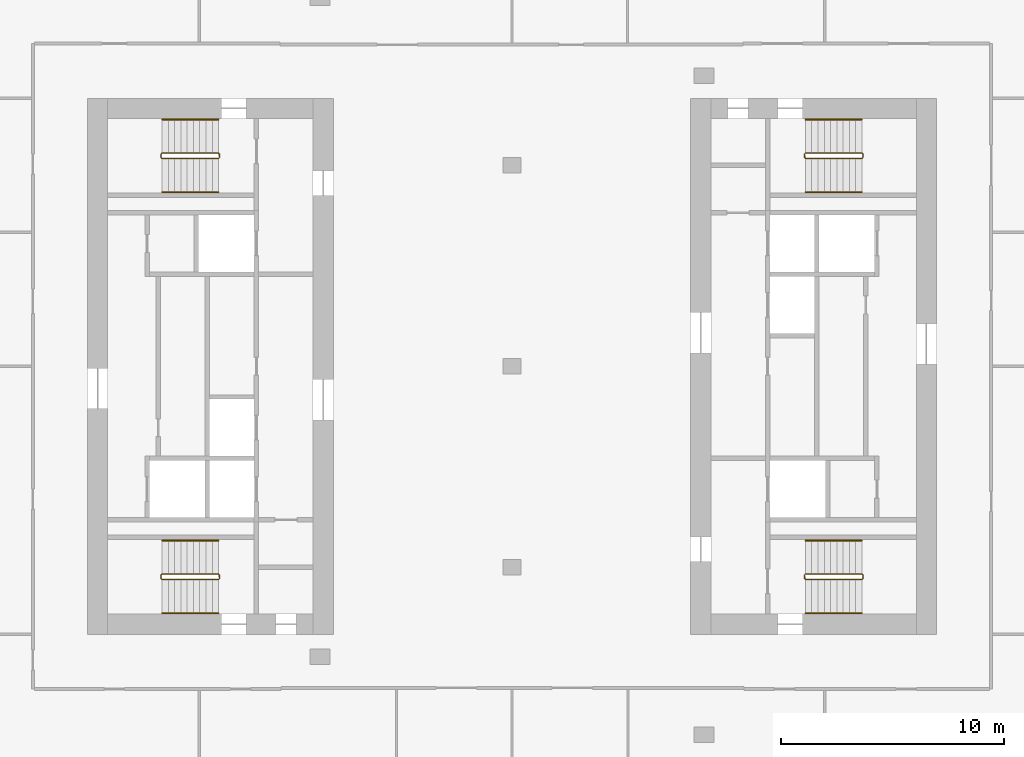
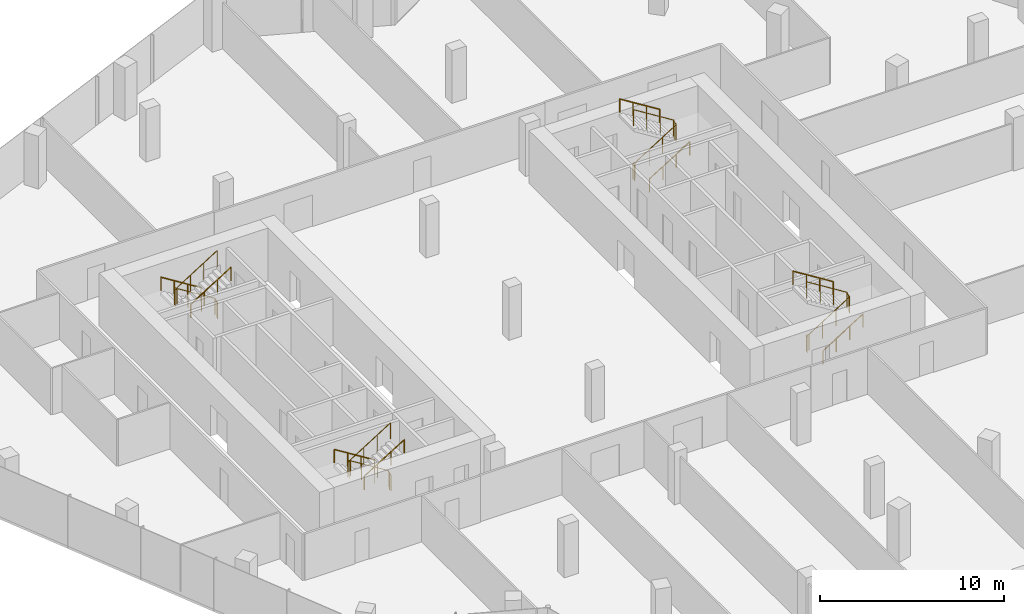
# One storey, part 16 of 16: 12 railings.
"""IFC4 building model written with IfcOpenShell, lengths in metres."""

from ifc_helpers import new_model, si_unit, direction, frame, origin, origin_2d, place, context, subcontext, project, spatial, circle, extrude, material, type_object, element, save


model = new_model("IFC4")

# Units and contexts
model_context = context("Model", 3, precision=1e-05, world=origin(), true_north=direction((0.0, 1.0)))
body_context = subcontext(model_context, "Body", "Model", "MODEL_VIEW")
ifc_project = project(units=[si_unit("LENGTHUNIT", "METRE"), si_unit("AREAUNIT", "SQUARE_METRE"), si_unit("VOLUMEUNIT", "CUBIC_METRE"), si_unit("PLANEANGLEUNIT", "RADIAN"), si_unit("MASSUNIT", "GRAM", prefix="KILO")], contexts=[model_context])

# Site, building, storey
site_placement = place(None, origin())
site = spatial("IfcSite", under=ifc_project, at=site_placement, CompositionType="ELEMENT")
building_placement = place(site_placement, origin())
building = spatial("IfcBuilding", under=site, at=building_placement, Name="Orlundy Tower", CompositionType="ELEMENT")
storey_placement = place(building_placement, frame((0.0, 0.0, 282.39990234375)))
storey = spatial("IfcBuildingStorey", under=building, at=storey_placement, Name="L75", CompositionType="ELEMENT", Elevation=282.39990234375)

# Railings
ifc_material_1 = material(Name="Steel balustrade", Category="steel")
railing_type_1 = type_object("IfcRailingType", Name="Stair Guard 1100", PredefinedType="GUARDRAIL", material=ifc_material_1)
railing_1_placement = place(storey_placement, frame((-13.090087890625, 9.5, 0.0)))
element("IfcRailing", 1, at=railing_1_placement, inside=storey, type_object=railing_type_1, Name="L75 ST-W1 stair guard 1", PredefinedType="GUARDRAIL", context=body_context, shape_type="SweptSolid", body=[
    extrude(circle(Radius=0.02392578125, at=origin_2d()), frame((0.0, 0.0, 1.076171875), z_axis=(0.0, -1.0, 0.0), x_axis=(1.0, 0.0, 0.0)), (0.0, 0.0, 1.0), 0.14990234375),
    extrude(circle(Radius=0.02392578125, at=origin_2d()), frame((0.0, -0.14990234375, 1.076171875), z_axis=(-0.18420542264, 0.739530593833, 0.647427882513), x_axis=(-0.970351222016, -0.241699205484, 0.0)), (0.0, 0.0, 1.0), 0.270263671875),
    extrude(circle(Radius=0.02392578125, at=origin_2d()), frame((-0.0498046875, 0.050048828125, 1.2509765625), z_axis=(-0.848007534815, 0.0, 0.529984170421), x_axis=(0.0, -1.0, 0.0)), (0.0, 0.0, 1.0), 2.9716796875),
    extrude(circle(Radius=0.02392578125, at=origin_2d()), frame((-2.56982421875, 0.050048828125, 2.826171875), z_axis=(-0.707106781187, -0.707106781187, 0.0), x_axis=(0.707106781187, -0.707106781187, 0.0)), (0.0, 0.0, 1.0), 0.07080078125),
    extrude(circle(Radius=0.02392578125, at=origin_2d()), frame((-2.619873046875, 0.0, 2.826171875), z_axis=(0.0, -1.0, 0.0), x_axis=(1.0, 0.0, 0.0)), (0.0, 0.0, 1.0), 0.14990234375),
    extrude(circle(Radius=0.02392578125, at=origin_2d()), frame((-2.619873046875, -0.14990234375, 2.826171875), z_axis=(0.265065253269, -0.265065253269, 0.927081885822), x_axis=(0.707106781187, 0.707106781187, 0.0)), (0.0, 0.0, 1.0), 0.188720703125),
    extrude(circle(Radius=0.02392578125, at=origin_2d()), frame((-2.56982421875, -0.199951171875, 3.0009765625), z_axis=(0.848007534815, 0.0, 0.529984170421), x_axis=(0.0, 1.0, 0.0)), (0.0, 0.0, 1.0), 2.9716796875),
    extrude(circle(Radius=0.02099609375, at=origin_2d()), origin(), (0.0, 0.0, 1.0), 1.052001953125),
    extrude(circle(Radius=0.02099609375, at=origin_2d()), frame((0.0, -0.14990234375, 0.0)), (0.0, 0.0, 1.0), 1.052001953125),
    extrude(circle(Radius=0.02099609375, at=origin_2d()), frame((-0.0498046875, 0.050048828125, 0.175048828125)), (0.0, 0.0, 1.0), 1.052001953125),
    extrude(circle(Radius=0.02099609375, at=origin_2d()), frame((-0.889892578125, 0.050048828125, 0.699951171875)), (0.0, 0.0, 1.0), 1.052001953125),
    extrude(circle(Radius=0.02099609375, at=origin_2d()), frame((-1.729736328125, 0.050048828125, 1.22509765625)), (0.0, 0.0, 1.0), 1.052001953125),
    extrude(circle(Radius=0.02099609375, at=origin_2d()), frame((-2.56982421875, 0.050048828125, 1.75)), (0.0, 0.0, 1.0), 1.052001953125),
    extrude(circle(Radius=0.02099609375, at=origin_2d()), frame((-2.619873046875, 0.0, 1.75)), (0.0, 0.0, 1.0), 1.052001953125),
    extrude(circle(Radius=0.02099609375, at=origin_2d()), frame((-2.619873046875, -0.14990234375, 1.75)), (0.0, 0.0, 1.0), 1.052001953125),
    extrude(circle(Radius=0.02099609375, at=origin_2d()), frame((-2.56982421875, -0.199951171875, 1.925048828125)), (0.0, 0.0, 1.0), 1.052001953125),
    extrude(circle(Radius=0.02099609375, at=origin_2d()), frame((-1.729736328125, -0.199951171875, 2.449951171875)), (0.0, 0.0, 1.0), 1.052001953125),
    extrude(circle(Radius=0.02099609375, at=origin_2d()), frame((-0.889892578125, -0.199951171875, 2.97509765625)), (0.0, 0.0, 1.0), 1.052001953125),
    extrude(circle(Radius=0.02099609375, at=origin_2d()), frame((-0.0498046875, -0.199951171875, 3.5)), (0.0, 0.0, 1.0), 1.052001953125),
])
railing_2_placement = place(storey_placement, frame((-13.090087890625, -9.35009765625, 0.0)))
element("IfcRailing", 2, at=railing_2_placement, inside=storey, type_object=railing_type_1, Name="L75 ST-W2 stair guard 1", PredefinedType="GUARDRAIL", context=body_context, shape_type="SweptSolid", body=[
    extrude(circle(Radius=0.02392578125, at=origin_2d()), frame((0.0, 0.0, 1.076171875), z_axis=(0.0, -1.0, 0.0), x_axis=(1.0, 0.0, 0.0)), (0.0, 0.0, 1.0), 0.14990234375),
    extrude(circle(Radius=0.02392578125, at=origin_2d()), frame((0.0, -0.14990234375, 1.076171875), z_axis=(-0.18420542264, 0.739530593833, 0.647427882513), x_axis=(-0.970351222016, -0.241699205484, 0.0)), (0.0, 0.0, 1.0), 0.270263671875),
    extrude(circle(Radius=0.02392578125, at=origin_2d()), frame((-0.0498046875, 0.050048828125, 1.2509765625), z_axis=(-0.848007534815, 0.0, 0.529984170421), x_axis=(0.0, -1.0, 0.0)), (0.0, 0.0, 1.0), 2.9716796875),
    extrude(circle(Radius=0.02392578125, at=origin_2d()), frame((-2.56982421875, 0.050048828125, 2.826171875), z_axis=(-0.707106781187, -0.707106781187, 0.0), x_axis=(0.707106781187, -0.707106781187, 0.0)), (0.0, 0.0, 1.0), 0.07080078125),
    extrude(circle(Radius=0.02392578125, at=origin_2d()), frame((-2.619873046875, 0.0, 2.826171875), z_axis=(0.0, -1.0, 0.0), x_axis=(1.0, 0.0, 0.0)), (0.0, 0.0, 1.0), 0.14990234375),
    extrude(circle(Radius=0.02392578125, at=origin_2d()), frame((-2.619873046875, -0.14990234375, 2.826171875), z_axis=(0.265065253269, -0.265065253269, 0.927081885822), x_axis=(0.707106781187, 0.707106781187, 0.0)), (0.0, 0.0, 1.0), 0.188720703125),
    extrude(circle(Radius=0.02392578125, at=origin_2d()), frame((-2.56982421875, -0.199951171875, 3.0009765625), z_axis=(0.848007534815, 0.0, 0.529984170421), x_axis=(0.0, 1.0, 0.0)), (0.0, 0.0, 1.0), 2.9716796875),
    extrude(circle(Radius=0.02099609375, at=origin_2d()), origin(), (0.0, 0.0, 1.0), 1.052001953125),
    extrude(circle(Radius=0.02099609375, at=origin_2d()), frame((0.0, -0.14990234375, 0.0)), (0.0, 0.0, 1.0), 1.052001953125),
    extrude(circle(Radius=0.02099609375, at=origin_2d()), frame((-0.0498046875, 0.050048828125, 0.175048828125)), (0.0, 0.0, 1.0), 1.052001953125),
    extrude(circle(Radius=0.02099609375, at=origin_2d()), frame((-0.889892578125, 0.050048828125, 0.699951171875)), (0.0, 0.0, 1.0), 1.052001953125),
    extrude(circle(Radius=0.02099609375, at=origin_2d()), frame((-1.729736328125, 0.050048828125, 1.22509765625)), (0.0, 0.0, 1.0), 1.052001953125),
    extrude(circle(Radius=0.02099609375, at=origin_2d()), frame((-2.56982421875, 0.050048828125, 1.75)), (0.0, 0.0, 1.0), 1.052001953125),
    extrude(circle(Radius=0.02099609375, at=origin_2d()), frame((-2.619873046875, 0.0, 1.75)), (0.0, 0.0, 1.0), 1.052001953125),
    extrude(circle(Radius=0.02099609375, at=origin_2d()), frame((-2.619873046875, -0.14990234375, 1.75)), (0.0, 0.0, 1.0), 1.052001953125),
    extrude(circle(Radius=0.02099609375, at=origin_2d()), frame((-2.56982421875, -0.199951171875, 1.925048828125)), (0.0, 0.0, 1.0), 1.052001953125),
    extrude(circle(Radius=0.02099609375, at=origin_2d()), frame((-1.729736328125, -0.199951171875, 2.449951171875)), (0.0, 0.0, 1.0), 1.052001953125),
    extrude(circle(Radius=0.02099609375, at=origin_2d()), frame((-0.889892578125, -0.199951171875, 2.97509765625)), (0.0, 0.0, 1.0), 1.052001953125),
    extrude(circle(Radius=0.02099609375, at=origin_2d()), frame((-0.0498046875, -0.199951171875, 3.5)), (0.0, 0.0, 1.0), 1.052001953125),
])
railing_3_placement = place(storey_placement, frame((13.090087890625, -9.5, 0.0)))
element("IfcRailing", 3, at=railing_3_placement, inside=storey, type_object=railing_type_1, Name="L75 ST-E1 stair guard 1", PredefinedType="GUARDRAIL", context=body_context, shape_type="SweptSolid", body=[
    extrude(circle(Radius=0.02392578125, at=origin_2d()), frame((0.0, 0.0, 1.076171875), z_axis=(0.0, 1.0, 0.0), x_axis=(-1.0, 0.0, 0.0)), (0.0, 0.0, 1.0), 0.14990234375),
    extrude(circle(Radius=0.02392578125, at=origin_2d()), frame((0.0, 0.14990234375, 1.076171875), z_axis=(0.18420542264, -0.739530593833, 0.647427882513), x_axis=(0.970351222016, 0.241699205484, 0.0)), (0.0, 0.0, 1.0), 0.270263671875),
    extrude(circle(Radius=0.02392578125, at=origin_2d()), frame((0.0498046875, -0.050048828125, 1.2509765625), z_axis=(0.848007534815, 0.0, 0.529984170421), x_axis=(0.0, 1.0, 0.0)), (0.0, 0.0, 1.0), 2.9716796875),
    extrude(circle(Radius=0.02392578125, at=origin_2d()), frame((2.56982421875, -0.050048828125, 2.826171875), z_axis=(0.707106781187, 0.707106781187, 0.0), x_axis=(-0.707106781187, 0.707106781187, 0.0)), (0.0, 0.0, 1.0), 0.07080078125),
    extrude(circle(Radius=0.02392578125, at=origin_2d()), frame((2.619873046875, 0.0, 2.826171875), z_axis=(0.0, 1.0, 0.0), x_axis=(-1.0, 0.0, 0.0)), (0.0, 0.0, 1.0), 0.14990234375),
    extrude(circle(Radius=0.02392578125, at=origin_2d()), frame((2.619873046875, 0.14990234375, 2.826171875), z_axis=(-0.265065253269, 0.265065253269, 0.927081885822), x_axis=(-0.707106781187, -0.707106781187, 0.0)), (0.0, 0.0, 1.0), 0.188720703125),
    extrude(circle(Radius=0.02392578125, at=origin_2d()), frame((2.56982421875, 0.199951171875, 3.0009765625), z_axis=(-0.848007534815, 0.0, 0.529984170421), x_axis=(0.0, -1.0, 0.0)), (0.0, 0.0, 1.0), 2.9716796875),
    extrude(circle(Radius=0.02099609375, at=origin_2d()), origin(), (0.0, 0.0, 1.0), 1.052001953125),
    extrude(circle(Radius=0.02099609375, at=origin_2d()), frame((0.0, 0.14990234375, 0.0)), (0.0, 0.0, 1.0), 1.052001953125),
    extrude(circle(Radius=0.02099609375, at=origin_2d()), frame((0.0498046875, -0.050048828125, 0.175048828125)), (0.0, 0.0, 1.0), 1.052001953125),
    extrude(circle(Radius=0.02099609375, at=origin_2d()), frame((0.889892578125, -0.050048828125, 0.699951171875)), (0.0, 0.0, 1.0), 1.052001953125),
    extrude(circle(Radius=0.02099609375, at=origin_2d()), frame((1.729736328125, -0.050048828125, 1.22509765625)), (0.0, 0.0, 1.0), 1.052001953125),
    extrude(circle(Radius=0.02099609375, at=origin_2d()), frame((2.56982421875, -0.050048828125, 1.75)), (0.0, 0.0, 1.0), 1.052001953125),
    extrude(circle(Radius=0.02099609375, at=origin_2d()), frame((2.619873046875, 0.0, 1.75)), (0.0, 0.0, 1.0), 1.052001953125),
    extrude(circle(Radius=0.02099609375, at=origin_2d()), frame((2.619873046875, 0.14990234375, 1.75)), (0.0, 0.0, 1.0), 1.052001953125),
    extrude(circle(Radius=0.02099609375, at=origin_2d()), frame((2.56982421875, 0.199951171875, 1.925048828125)), (0.0, 0.0, 1.0), 1.052001953125),
    extrude(circle(Radius=0.02099609375, at=origin_2d()), frame((1.729736328125, 0.199951171875, 2.449951171875)), (0.0, 0.0, 1.0), 1.052001953125),
    extrude(circle(Radius=0.02099609375, at=origin_2d()), frame((0.889892578125, 0.199951171875, 2.97509765625)), (0.0, 0.0, 1.0), 1.052001953125),
    extrude(circle(Radius=0.02099609375, at=origin_2d()), frame((0.0498046875, 0.199951171875, 3.5)), (0.0, 0.0, 1.0), 1.052001953125),
])
railing_4_placement = place(storey_placement, frame((13.090087890625, 9.35009765625, 0.0)))
element("IfcRailing", 4, at=railing_4_placement, inside=storey, type_object=railing_type_1, Name="L75 ST-E2 stair guard 1", PredefinedType="GUARDRAIL", context=body_context, shape_type="SweptSolid", body=[
    extrude(circle(Radius=0.02392578125, at=origin_2d()), frame((0.0, 0.0, 1.076171875), z_axis=(0.0, 1.0, 0.0), x_axis=(-1.0, 0.0, 0.0)), (0.0, 0.0, 1.0), 0.14990234375),
    extrude(circle(Radius=0.02392578125, at=origin_2d()), frame((0.0, 0.14990234375, 1.076171875), z_axis=(0.18420542264, -0.739530593833, 0.647427882513), x_axis=(0.970351222016, 0.241699205484, 0.0)), (0.0, 0.0, 1.0), 0.270263671875),
    extrude(circle(Radius=0.02392578125, at=origin_2d()), frame((0.0498046875, -0.050048828125, 1.2509765625), z_axis=(0.848007534815, 0.0, 0.529984170421), x_axis=(0.0, 1.0, 0.0)), (0.0, 0.0, 1.0), 2.9716796875),
    extrude(circle(Radius=0.02392578125, at=origin_2d()), frame((2.56982421875, -0.050048828125, 2.826171875), z_axis=(0.707106781187, 0.707106781187, 0.0), x_axis=(-0.707106781187, 0.707106781187, 0.0)), (0.0, 0.0, 1.0), 0.07080078125),
    extrude(circle(Radius=0.02392578125, at=origin_2d()), frame((2.619873046875, 0.0, 2.826171875), z_axis=(0.0, 1.0, 0.0), x_axis=(-1.0, 0.0, 0.0)), (0.0, 0.0, 1.0), 0.14990234375),
    extrude(circle(Radius=0.02392578125, at=origin_2d()), frame((2.619873046875, 0.14990234375, 2.826171875), z_axis=(-0.265065253269, 0.265065253269, 0.927081885822), x_axis=(-0.707106781187, -0.707106781187, 0.0)), (0.0, 0.0, 1.0), 0.188720703125),
    extrude(circle(Radius=0.02392578125, at=origin_2d()), frame((2.56982421875, 0.199951171875, 3.0009765625), z_axis=(-0.848007534815, 0.0, 0.529984170421), x_axis=(0.0, -1.0, 0.0)), (0.0, 0.0, 1.0), 2.9716796875),
    extrude(circle(Radius=0.02099609375, at=origin_2d()), origin(), (0.0, 0.0, 1.0), 1.052001953125),
    extrude(circle(Radius=0.02099609375, at=origin_2d()), frame((0.0, 0.14990234375, 0.0)), (0.0, 0.0, 1.0), 1.052001953125),
    extrude(circle(Radius=0.02099609375, at=origin_2d()), frame((0.0498046875, -0.050048828125, 0.175048828125)), (0.0, 0.0, 1.0), 1.052001953125),
    extrude(circle(Radius=0.02099609375, at=origin_2d()), frame((0.889892578125, -0.050048828125, 0.699951171875)), (0.0, 0.0, 1.0), 1.052001953125),
    extrude(circle(Radius=0.02099609375, at=origin_2d()), frame((1.729736328125, -0.050048828125, 1.22509765625)), (0.0, 0.0, 1.0), 1.052001953125),
    extrude(circle(Radius=0.02099609375, at=origin_2d()), frame((2.56982421875, -0.050048828125, 1.75)), (0.0, 0.0, 1.0), 1.052001953125),
    extrude(circle(Radius=0.02099609375, at=origin_2d()), frame((2.619873046875, 0.0, 1.75)), (0.0, 0.0, 1.0), 1.052001953125),
    extrude(circle(Radius=0.02099609375, at=origin_2d()), frame((2.619873046875, 0.14990234375, 1.75)), (0.0, 0.0, 1.0), 1.052001953125),
    extrude(circle(Radius=0.02099609375, at=origin_2d()), frame((2.56982421875, 0.199951171875, 1.925048828125)), (0.0, 0.0, 1.0), 1.052001953125),
    extrude(circle(Radius=0.02099609375, at=origin_2d()), frame((1.729736328125, 0.199951171875, 2.449951171875)), (0.0, 0.0, 1.0), 1.052001953125),
    extrude(circle(Radius=0.02099609375, at=origin_2d()), frame((0.889892578125, 0.199951171875, 2.97509765625)), (0.0, 0.0, 1.0), 1.052001953125),
    extrude(circle(Radius=0.02099609375, at=origin_2d()), frame((0.0498046875, 0.199951171875, 3.5)), (0.0, 0.0, 1.0), 1.052001953125),
])
ifc_material_2 = material(Name="Steel handrail", Category="steel")
railing_type_2 = type_object("IfcRailingType", Name="Stair Handrail 900", PredefinedType="HANDRAIL", material=ifc_material_2)
railing_5_placement = place(storey_placement, frame((-13.139892578125, 11.050048828125, 0.175048828125)))
element("IfcRailing", 5, at=railing_5_placement, inside=storey, type_object=railing_type_2, Name="L75 ST-W1 stair handrail 1", PredefinedType="HANDRAIL", context=body_context, shape_type="SweptSolid", body=[
    extrude(circle(Radius=0.02392578125, at=origin_2d()), frame((0.0, 0.0, 0.8759765625), z_axis=(-0.848007534815, 0.0, 0.529984170421), x_axis=(0.0, -1.0, 0.0)), (0.0, 0.0, 1.0), 2.9716796875),
    extrude(circle(Radius=0.02099609375, at=origin_2d()), origin(), (0.0, 0.0, 1.0), 0.851806640625),
    extrude(circle(Radius=0.02099609375, at=origin_2d()), frame((-0.840087890625, 0.0, 0.52490234375)), (0.0, 0.0, 1.0), 0.851806640625),
    extrude(circle(Radius=0.02099609375, at=origin_2d()), frame((-1.679931640625, 0.0, 1.050048828125)), (0.0, 0.0, 1.0), 0.851806640625),
    extrude(circle(Radius=0.02099609375, at=origin_2d()), frame((-2.52001953125, 0.0, 1.574951171875)), (0.0, 0.0, 1.0), 0.851806640625),
])
railing_6_placement = place(storey_placement, frame((-15.659912109375, 7.800048828125, 1.925048828125)))
element("IfcRailing", 6, at=railing_6_placement, inside=storey, type_object=railing_type_2, Name="L75 ST-W1 stair handrail 2", PredefinedType="HANDRAIL", context=body_context, shape_type="SweptSolid", body=[
    extrude(circle(Radius=0.02392578125, at=origin_2d()), frame((0.0, 0.0, 0.8759765625), z_axis=(0.848007534815, 0.0, 0.529984170421), x_axis=(0.0, 1.0, 0.0)), (0.0, 0.0, 1.0), 2.9716796875),
    extrude(circle(Radius=0.02099609375, at=origin_2d()), origin(), (0.0, 0.0, 1.0), 0.851806640625),
    extrude(circle(Radius=0.02099609375, at=origin_2d()), frame((0.840087890625, 0.0, 0.52490234375)), (0.0, 0.0, 1.0), 0.851806640625),
    extrude(circle(Radius=0.02099609375, at=origin_2d()), frame((1.679931640625, 0.0, 1.050048828125)), (0.0, 0.0, 1.0), 0.851806640625),
    extrude(circle(Radius=0.02099609375, at=origin_2d()), frame((2.52001953125, 0.0, 1.574951171875)), (0.0, 0.0, 1.0), 0.851806640625),
])
railing_7_placement = place(storey_placement, frame((-13.139892578125, -7.800048828125, 0.175048828125)))
element("IfcRailing", 7, at=railing_7_placement, inside=storey, type_object=railing_type_2, Name="L75 ST-W2 stair handrail 1", PredefinedType="HANDRAIL", context=body_context, shape_type="SweptSolid", body=[
    extrude(circle(Radius=0.02392578125, at=origin_2d()), frame((0.0, 0.0, 0.8759765625), z_axis=(-0.848007534815, 0.0, 0.529984170421), x_axis=(0.0, -1.0, 0.0)), (0.0, 0.0, 1.0), 2.9716796875),
    extrude(circle(Radius=0.02099609375, at=origin_2d()), origin(), (0.0, 0.0, 1.0), 0.851806640625),
    extrude(circle(Radius=0.02099609375, at=origin_2d()), frame((-0.840087890625, 0.0, 0.52490234375)), (0.0, 0.0, 1.0), 0.851806640625),
    extrude(circle(Radius=0.02099609375, at=origin_2d()), frame((-1.679931640625, 0.0, 1.050048828125)), (0.0, 0.0, 1.0), 0.851806640625),
    extrude(circle(Radius=0.02099609375, at=origin_2d()), frame((-2.52001953125, 0.0, 1.574951171875)), (0.0, 0.0, 1.0), 0.851806640625),
])
for number, where, name in (
    (8, (-15.659912109375, -11.050048828125, 1.925048828125), "L75 ST-W2 stair handrail 2"),
    (9, (13.139892578125, -11.050048828125, 0.175048828125), "L75 ST-E1 stair handrail 1"),
):
    element("IfcRailing", number, at=place(storey_placement, frame(where)), inside=storey, type_object=railing_type_2, Name=name, PredefinedType="HANDRAIL", context=body_context, shape_type="SweptSolid", body=[
        extrude(circle(Radius=0.02392578125, at=origin_2d()), frame((0.0, 0.0, 0.8759765625), z_axis=(0.848007534815, 0.0, 0.529984170421), x_axis=(0.0, 1.0, 0.0)), (0.0, 0.0, 1.0), 2.9716796875),
        extrude(circle(Radius=0.02099609375, at=origin_2d()), origin(), (0.0, 0.0, 1.0), 0.851806640625),
        extrude(circle(Radius=0.02099609375, at=origin_2d()), frame((0.840087890625, 0.0, 0.52490234375)), (0.0, 0.0, 1.0), 0.851806640625),
        extrude(circle(Radius=0.02099609375, at=origin_2d()), frame((1.679931640625, 0.0, 1.050048828125)), (0.0, 0.0, 1.0), 0.851806640625),
        extrude(circle(Radius=0.02099609375, at=origin_2d()), frame((2.52001953125, 0.0, 1.574951171875)), (0.0, 0.0, 1.0), 0.851806640625),
    ])
railing_8_placement = place(storey_placement, frame((15.659912109375, -7.800048828125, 1.925048828125)))
element("IfcRailing", 10, at=railing_8_placement, inside=storey, type_object=railing_type_2, Name="L75 ST-E1 stair handrail 2", PredefinedType="HANDRAIL", context=body_context, shape_type="SweptSolid", body=[
    extrude(circle(Radius=0.02392578125, at=origin_2d()), frame((0.0, 0.0, 0.8759765625), z_axis=(-0.848007534815, 0.0, 0.529984170421), x_axis=(0.0, -1.0, 0.0)), (0.0, 0.0, 1.0), 2.9716796875),
    extrude(circle(Radius=0.02099609375, at=origin_2d()), origin(), (0.0, 0.0, 1.0), 0.851806640625),
    extrude(circle(Radius=0.02099609375, at=origin_2d()), frame((-0.840087890625, 0.0, 0.52490234375)), (0.0, 0.0, 1.0), 0.851806640625),
    extrude(circle(Radius=0.02099609375, at=origin_2d()), frame((-1.679931640625, 0.0, 1.050048828125)), (0.0, 0.0, 1.0), 0.851806640625),
    extrude(circle(Radius=0.02099609375, at=origin_2d()), frame((-2.52001953125, 0.0, 1.574951171875)), (0.0, 0.0, 1.0), 0.851806640625),
])
railing_9_placement = place(storey_placement, frame((13.139892578125, 7.800048828125, 0.175048828125)))
element("IfcRailing", 11, at=railing_9_placement, inside=storey, type_object=railing_type_2, Name="L75 ST-E2 stair handrail 1", PredefinedType="HANDRAIL", context=body_context, shape_type="SweptSolid", body=[
    extrude(circle(Radius=0.02392578125, at=origin_2d()), frame((0.0, 0.0, 0.8759765625), z_axis=(0.848007534815, 0.0, 0.529984170421), x_axis=(0.0, 1.0, 0.0)), (0.0, 0.0, 1.0), 2.9716796875),
    extrude(circle(Radius=0.02099609375, at=origin_2d()), origin(), (0.0, 0.0, 1.0), 0.851806640625),
    extrude(circle(Radius=0.02099609375, at=origin_2d()), frame((0.840087890625, 0.0, 0.52490234375)), (0.0, 0.0, 1.0), 0.851806640625),
    extrude(circle(Radius=0.02099609375, at=origin_2d()), frame((1.679931640625, 0.0, 1.050048828125)), (0.0, 0.0, 1.0), 0.851806640625),
    extrude(circle(Radius=0.02099609375, at=origin_2d()), frame((2.52001953125, 0.0, 1.574951171875)), (0.0, 0.0, 1.0), 0.851806640625),
])
railing_10_placement = place(storey_placement, frame((15.659912109375, 11.050048828125, 1.925048828125)))
element("IfcRailing", 12, at=railing_10_placement, inside=storey, type_object=railing_type_2, Name="L75 ST-E2 stair handrail 2", PredefinedType="HANDRAIL", context=body_context, shape_type="SweptSolid", body=[
    extrude(circle(Radius=0.02392578125, at=origin_2d()), frame((0.0, 0.0, 0.8759765625), z_axis=(-0.848007534815, 0.0, 0.529984170421), x_axis=(0.0, -1.0, 0.0)), (0.0, 0.0, 1.0), 2.9716796875),
    extrude(circle(Radius=0.02099609375, at=origin_2d()), origin(), (0.0, 0.0, 1.0), 0.851806640625),
    extrude(circle(Radius=0.02099609375, at=origin_2d()), frame((-0.840087890625, 0.0, 0.52490234375)), (0.0, 0.0, 1.0), 0.851806640625),
    extrude(circle(Radius=0.02099609375, at=origin_2d()), frame((-1.679931640625, 0.0, 1.050048828125)), (0.0, 0.0, 1.0), 0.851806640625),
    extrude(circle(Radius=0.02099609375, at=origin_2d()), frame((-2.52001953125, 0.0, 1.574951171875)), (0.0, 0.0, 1.0), 0.851806640625),
])

save(model, "model.ifc")
